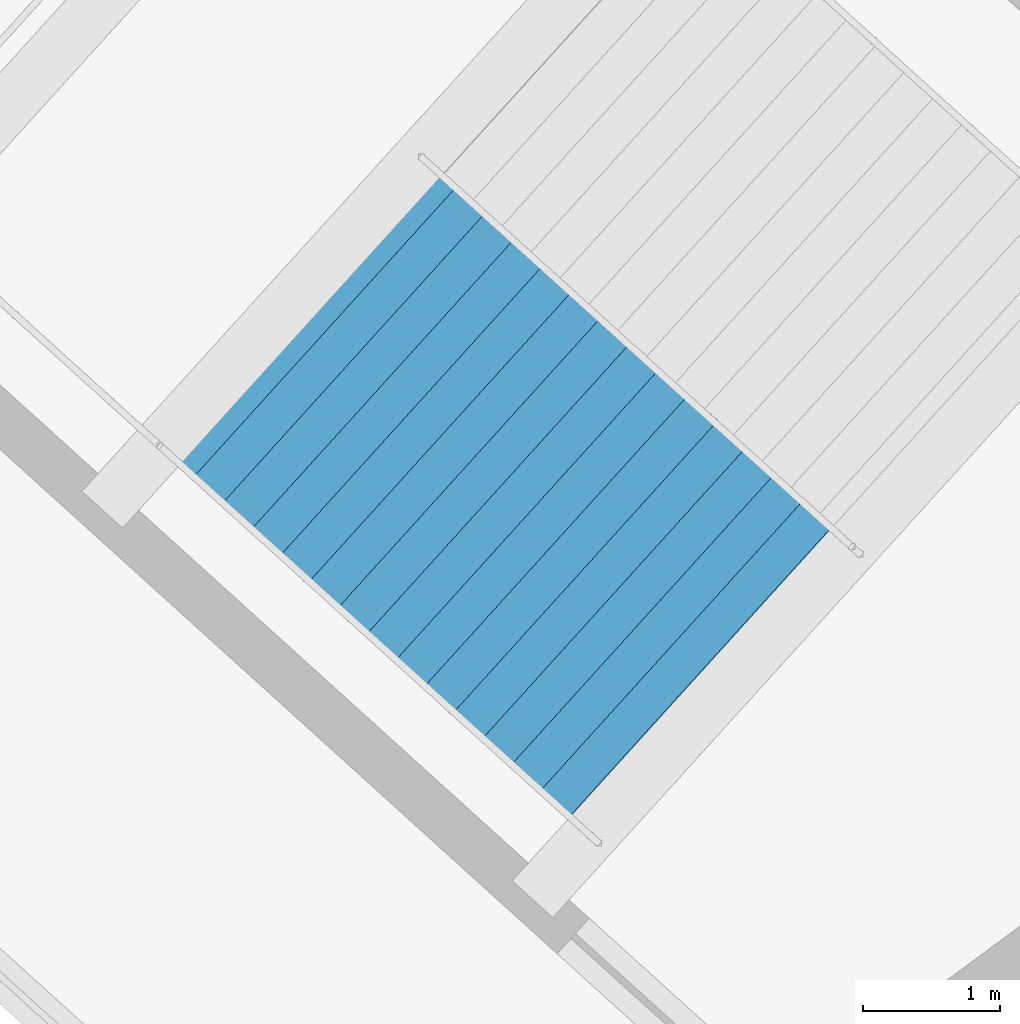
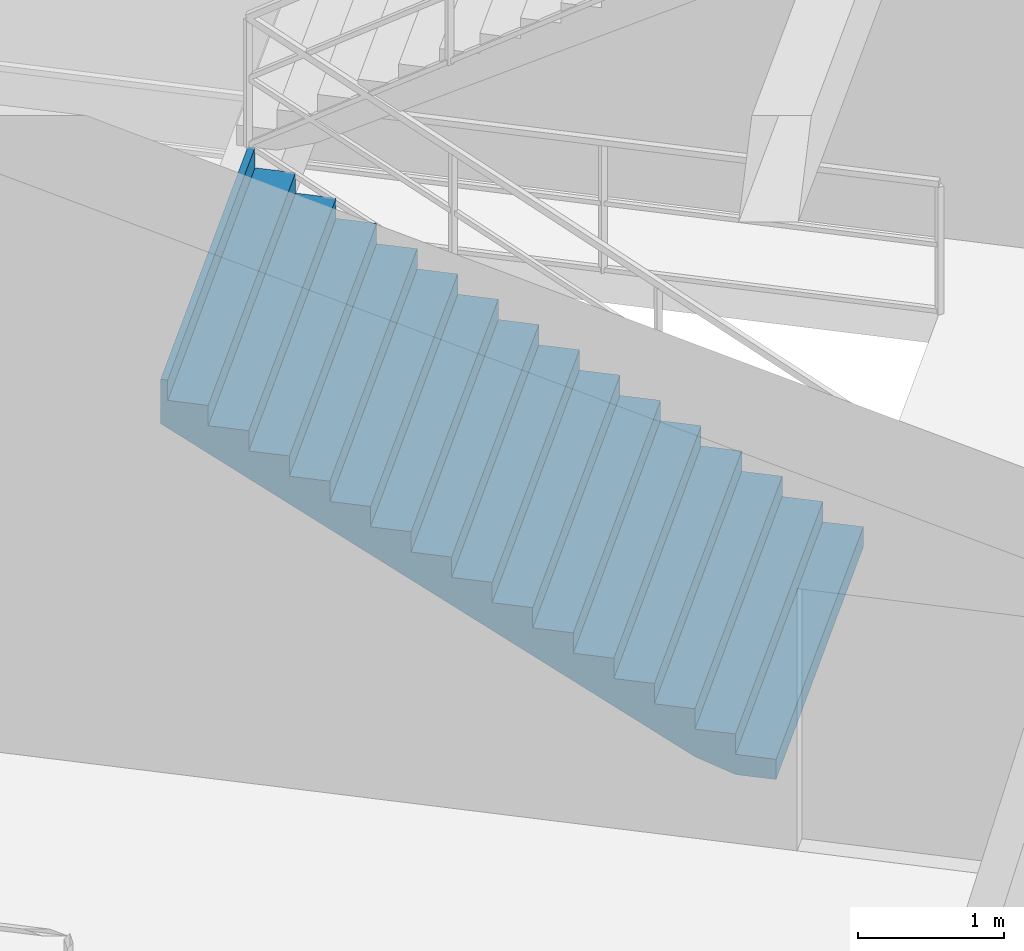
# One storey, part 95 of 103: 1 stair flight, 1 element without a shape of its own.
"""IFC4 building model written with IfcOpenShell, lengths in metres."""

from ifc_helpers import new_model, si_unit, direction, frame, origin, place, context, subcontext, project, spatial, polygons, material, type_object, element, aggregate, save


model = new_model("IFC4")

# Units and contexts
model_context = context("Model", 3, precision=1e-05, world=origin(), true_north=direction((0.0, 1.0)))
body_context = subcontext(model_context, "Body", "Model", "MODEL_VIEW")
ifc_project = project(units=[si_unit("LENGTHUNIT", "METRE"), si_unit("AREAUNIT", "SQUARE_METRE"), si_unit("VOLUMEUNIT", "CUBIC_METRE"), si_unit("PLANEANGLEUNIT", "RADIAN"), si_unit("MASSUNIT", "GRAM", prefix="KILO")], contexts=[model_context])

# Site, building, storey
site_placement = place(None, origin())
site = spatial("IfcSite", under=ifc_project, at=site_placement, CompositionType="ELEMENT")
building_placement = place(site_placement, origin())
building = spatial("IfcBuilding", under=site, at=building_placement, Name="Kazemori Nagisa Stadium", CompositionType="ELEMENT")
storey_placement = place(building_placement, frame((0.0, 0.0, 25.840087890625)))
storey = spatial("IfcBuildingStorey", under=building, at=storey_placement, Name="L05", CompositionType="ELEMENT", Elevation=25.840087890625)

# Stair, stair flight
ifc_material = material(Name="Concrete C36/45 (Fc36)", Category="concrete")
stair_type = type_object("IfcStairType", Name="Stair_CORE_32", PredefinedType="TWO_STRAIGHT_RUN_STAIR", material=ifc_material)
stair_placement = place(storey_placement, origin())
stair = element("IfcStair", 1, at=stair_placement, inside=storey, type_object=stair_type, Name="Exit stair ST01 L05", PredefinedType="TWO_STRAIGHT_RUN_STAIR")
stair_flight_type = type_object("IfcStairFlightType", Name="Flight_CORE_16", PredefinedType="STRAIGHT", material=ifc_material)
stair_flight_placement = place(storey_placement, frame((191.89208984375, 156.3369140625, 0.0), z_axis=(0.0, 0.0, 1.0), x_axis=(-0.741354464355, 0.671113670089, 0.0)))
stair_flight = element("IfcStairFlight", 2, at=stair_flight_placement, type_object=stair_flight_type, Name="Exit stair ST01 L05 flight 1", NumberOfRisers=16, NumberOfTreads=15, PredefinedType="STRAIGHT", RiserHeight=0.17, TreadLength=0.285, context=body_context, shape_type="Tessellation", body=[
    polygons([(0.0, -1.425048828125, 0.0), (0.0, -1.425048828125, 0.169921875), (0.284912109375, -1.425048828125, 0.169921875), (0.284912109375, -1.425048828125, 0.340087890625), (0.570068359375, -1.425048828125, 0.340087890625), (0.570068359375, -1.425048828125, 0.510009765625), (0.85498046875, -1.425048828125, 0.510009765625), (0.85498046875, -1.425048828125, 0.679931640625), (1.139892578125, -1.425048828125, 0.679931640625), (1.139892578125, -1.425048828125, 0.85009765625), (1.425048828125, -1.425048828125, 0.85009765625), (1.425048828125, -1.425048828125, 1.02001953125), (1.7099609375, -1.425048828125, 1.02001953125), (1.7099609375, -1.425048828125, 1.18994140625), (1.9951171875, -1.425048828125, 1.18994140625), (1.9951171875, -1.425048828125, 1.360107421875), (2.280029296875, -1.425048828125, 1.360107421875), (2.280029296875, -1.425048828125, 1.530029296875), (2.56494140625, -1.425048828125, 1.530029296875), (2.56494140625, -1.425048828125, 1.699951171875), (2.85009765625, -1.425048828125, 1.699951171875), (2.85009765625, -1.425048828125, 1.8701171875), (3.135009765625, -1.425048828125, 1.8701171875), (3.135009765625, -1.425048828125, 2.0400390625), (3.419921875, -1.425048828125, 2.0400390625), (3.419921875, -1.425048828125, 2.2099609375), (3.705078125, -1.425048828125, 2.2099609375), (3.705078125, -1.425048828125, 2.3798828125), (3.989990234375, -1.425048828125, 2.3798828125), (3.989990234375, -1.425048828125, 2.550048828125), (4.27490234375, -1.425048828125, 2.550048828125), (4.27490234375, -1.425048828125, 2.719970703125), (4.324951171875, -1.425048828125, 2.719970703125), (4.324951171875, -1.425048828125, 2.346923828125), (4.27490234375, -1.425048828125, 2.317138671875), (3.989990234375, -1.425048828125, 2.147216796875), (3.705078125, -1.425048828125, 1.977294921875), (3.419921875, -1.425048828125, 1.80712890625), (3.135009765625, -1.425048828125, 1.63720703125), (2.85009765625, -1.425048828125, 1.46728515625), (2.56494140625, -1.425048828125, 1.297119140625), (2.280029296875, -1.425048828125, 1.127197265625), (1.9951171875, -1.425048828125, 0.957275390625), (1.7099609375, -1.425048828125, 0.787109375), (1.425048828125, -1.425048828125, 0.6171875), (1.139892578125, -1.425048828125, 0.447265625), (0.85498046875, -1.425048828125, 0.277099609375), (0.570068359375, -1.425048828125, 0.107177734375), (0.284912109375, -1.425048828125, 0.0), (0.0, -0.08544921875, 0.0), (0.0, -0.08544921875, 0.169921875), (0.284912109375, -0.08544921875, 0.169921875), (0.284912109375, -0.08544921875, 0.340087890625), (0.570068359375, -0.08544921875, 0.340087890625), (0.570068359375, -0.08544921875, 0.510009765625), (0.85498046875, -0.08544921875, 0.510009765625), (0.85498046875, -0.08544921875, 0.679931640625), (1.139892578125, -0.08544921875, 0.679931640625), (1.139892578125, -0.08544921875, 0.85009765625), (1.425048828125, -0.08544921875, 0.85009765625), (1.425048828125, -0.08544921875, 1.02001953125), (1.7099609375, -0.08544921875, 1.02001953125), (1.7099609375, -0.08544921875, 1.18994140625), (1.9951171875, -0.08544921875, 1.18994140625), (1.9951171875, -0.08544921875, 1.360107421875), (2.280029296875, -0.08544921875, 1.360107421875), (2.280029296875, -0.08544921875, 1.530029296875), (2.56494140625, -0.08544921875, 1.530029296875), (2.56494140625, -0.08544921875, 1.699951171875), (2.85009765625, -0.08544921875, 1.699951171875), (2.85009765625, -0.08544921875, 1.8701171875), (3.135009765625, -0.08544921875, 1.8701171875), (3.135009765625, -0.08544921875, 2.0400390625), (3.419921875, -0.08544921875, 2.0400390625), (3.419921875, -0.08544921875, 2.2099609375), (3.705078125, -0.08544921875, 2.2099609375), (3.705078125, -0.08544921875, 2.3798828125), (3.989990234375, -0.08544921875, 2.3798828125), (3.989990234375, -0.08544921875, 2.550048828125), (4.27490234375, -0.08544921875, 2.550048828125), (4.27490234375, -0.08544921875, 2.719970703125), (4.324951171875, -0.08544921875, 2.719970703125), (4.324951171875, -0.08544921875, 2.346923828125), (4.27490234375, -0.08544921875, 2.317138671875), (3.989990234375, -0.08544921875, 2.147216796875), (3.705078125, -0.08544921875, 1.977294921875), (3.419921875, -0.08544921875, 1.80712890625), (3.135009765625, -0.08544921875, 1.63720703125), (2.85009765625, -0.08544921875, 1.46728515625), (2.56494140625, -0.08544921875, 1.297119140625), (2.280029296875, -0.08544921875, 1.127197265625), (1.9951171875, -0.08544921875, 0.957275390625), (1.7099609375, -0.08544921875, 0.787109375), (1.425048828125, -0.08544921875, 0.6171875), (1.139892578125, -0.08544921875, 0.447265625), (0.85498046875, -0.08544921875, 0.277099609375), (0.570068359375, -0.08544921875, 0.107177734375), (0.284912109375, -0.08544921875, 0.0), (0.0, 0.0, 0.0), (0.0, 0.0, 0.169921875), (0.284912109375, 0.0, 0.169921875), (0.284912109375, 0.0, 0.340087890625), (0.570068359375, 0.0, 0.340087890625), (0.570068359375, 0.0, 0.510009765625), (0.85498046875, 0.0, 0.510009765625), (0.85498046875, 0.0, 0.679931640625), (1.139892578125, 0.0, 0.679931640625), (1.139892578125, 0.0, 0.85009765625), (1.425048828125, 0.0, 0.85009765625), (1.425048828125, 0.0, 1.02001953125), (1.7099609375, 0.0, 1.02001953125), (1.7099609375, 0.0, 1.18994140625), (1.9951171875, 0.0, 1.18994140625), (1.9951171875, 0.0, 1.360107421875), (2.280029296875, 0.0, 1.360107421875), (2.280029296875, 0.0, 1.530029296875), (2.56494140625, 0.0, 1.530029296875), (2.56494140625, 0.0, 1.699951171875), (2.85009765625, 0.0, 1.699951171875), (2.85009765625, 0.0, 1.8701171875), (3.135009765625, 0.0, 1.8701171875), (3.135009765625, 0.0, 2.0400390625), (3.419921875, 0.0, 2.0400390625), (3.419921875, 0.0, 2.2099609375), (3.705078125, 0.0, 2.2099609375), (3.705078125, 0.0, 2.3798828125), (3.989990234375, 0.0, 2.3798828125), (3.989990234375, 0.0, 2.550048828125), (4.27490234375, 0.0, 2.550048828125), (4.27490234375, 0.0, 2.719970703125), (4.324951171875, 0.0, 2.719970703125), (4.324951171875, 0.0, 2.346923828125), (4.27490234375, 0.0, 2.317138671875), (3.989990234375, 0.0, 2.147216796875), (3.705078125, 0.0, 1.977294921875), (3.419921875, 0.0, 1.80712890625), (3.135009765625, 0.0, 1.63720703125), (2.85009765625, 0.0, 1.46728515625), (2.56494140625, 0.0, 1.297119140625), (2.280029296875, 0.0, 1.127197265625), (1.9951171875, 0.0, 0.957275390625), (1.7099609375, 0.0, 0.787109375), (1.425048828125, 0.0, 0.6171875), (1.139892578125, 0.0, 0.447265625), (0.85498046875, 0.0, 0.277099609375), (0.570068359375, 0.0, 0.107177734375), (0.284912109375, 0.0, 0.0), (0.0, 0.08544921875, 0.0), (0.0, 0.08544921875, 0.169921875), (0.284912109375, 0.08544921875, 0.169921875), (0.284912109375, 0.08544921875, 0.340087890625), (0.570068359375, 0.08544921875, 0.340087890625), (0.570068359375, 0.08544921875, 0.510009765625), (0.85498046875, 0.08544921875, 0.510009765625), (0.85498046875, 0.08544921875, 0.679931640625), (1.139892578125, 0.08544921875, 0.679931640625), (1.139892578125, 0.08544921875, 0.85009765625), (1.425048828125, 0.08544921875, 0.85009765625), (1.425048828125, 0.08544921875, 1.02001953125), (1.7099609375, 0.08544921875, 1.02001953125), (1.7099609375, 0.08544921875, 1.18994140625), (1.9951171875, 0.08544921875, 1.18994140625), (1.9951171875, 0.08544921875, 1.360107421875), (2.280029296875, 0.08544921875, 1.360107421875), (2.280029296875, 0.08544921875, 1.530029296875), (2.56494140625, 0.08544921875, 1.530029296875), (2.56494140625, 0.08544921875, 1.699951171875), (2.85009765625, 0.08544921875, 1.699951171875), (2.85009765625, 0.08544921875, 1.8701171875), (3.135009765625, 0.08544921875, 1.8701171875), (3.135009765625, 0.08544921875, 2.0400390625), (3.419921875, 0.08544921875, 2.0400390625), (3.419921875, 0.08544921875, 2.2099609375), (3.705078125, 0.08544921875, 2.2099609375), (3.705078125, 0.08544921875, 2.3798828125), (3.989990234375, 0.08544921875, 2.3798828125), (3.989990234375, 0.08544921875, 2.550048828125), (4.27490234375, 0.08544921875, 2.550048828125), (4.27490234375, 0.08544921875, 2.719970703125), (4.324951171875, 0.08544921875, 2.719970703125), (4.324951171875, 0.08544921875, 2.346923828125), (4.27490234375, 0.08544921875, 2.317138671875), (3.989990234375, 0.08544921875, 2.147216796875), (3.705078125, 0.08544921875, 1.977294921875), (3.419921875, 0.08544921875, 1.80712890625), (3.135009765625, 0.08544921875, 1.63720703125), (2.85009765625, 0.08544921875, 1.46728515625), (2.56494140625, 0.08544921875, 1.297119140625), (2.280029296875, 0.08544921875, 1.127197265625), (1.9951171875, 0.08544921875, 0.957275390625), (1.7099609375, 0.08544921875, 0.787109375), (1.425048828125, 0.08544921875, 0.6171875), (1.139892578125, 0.08544921875, 0.447265625), (0.85498046875, 0.08544921875, 0.277099609375), (0.570068359375, 0.08544921875, 0.107177734375), (0.284912109375, 0.08544921875, 0.0), (0.0, 1.425048828125, 0.0), (0.0, 1.425048828125, 0.169921875), (0.284912109375, 1.425048828125, 0.169921875), (0.284912109375, 1.425048828125, 0.340087890625), (0.570068359375, 1.425048828125, 0.340087890625), (0.570068359375, 1.425048828125, 0.510009765625), (0.85498046875, 1.425048828125, 0.510009765625), (0.85498046875, 1.425048828125, 0.679931640625), (1.139892578125, 1.425048828125, 0.679931640625), (1.139892578125, 1.425048828125, 0.85009765625), (1.425048828125, 1.425048828125, 0.85009765625), (1.425048828125, 1.425048828125, 1.02001953125), (1.7099609375, 1.425048828125, 1.02001953125), (1.7099609375, 1.425048828125, 1.18994140625), (1.9951171875, 1.425048828125, 1.18994140625), (1.9951171875, 1.425048828125, 1.360107421875), (2.280029296875, 1.425048828125, 1.360107421875), (2.280029296875, 1.425048828125, 1.530029296875), (2.56494140625, 1.425048828125, 1.530029296875), (2.56494140625, 1.425048828125, 1.699951171875), (2.85009765625, 1.425048828125, 1.699951171875), (2.85009765625, 1.425048828125, 1.8701171875), (3.135009765625, 1.425048828125, 1.8701171875), (3.135009765625, 1.425048828125, 2.0400390625), (3.419921875, 1.425048828125, 2.0400390625), (3.419921875, 1.425048828125, 2.2099609375), (3.705078125, 1.425048828125, 2.2099609375), (3.705078125, 1.425048828125, 2.3798828125), (3.989990234375, 1.425048828125, 2.3798828125), (3.989990234375, 1.425048828125, 2.550048828125), (4.27490234375, 1.425048828125, 2.550048828125), (4.27490234375, 1.425048828125, 2.719970703125), (4.324951171875, 1.425048828125, 2.719970703125), (4.324951171875, 1.425048828125, 2.346923828125), (4.27490234375, 1.425048828125, 2.317138671875), (3.989990234375, 1.425048828125, 2.147216796875), (3.705078125, 1.425048828125, 1.977294921875), (3.419921875, 1.425048828125, 1.80712890625), (3.135009765625, 1.425048828125, 1.63720703125), (2.85009765625, 1.425048828125, 1.46728515625), (2.56494140625, 1.425048828125, 1.297119140625), (2.280029296875, 1.425048828125, 1.127197265625), (1.9951171875, 1.425048828125, 0.957275390625), (1.7099609375, 1.425048828125, 0.787109375), (1.425048828125, 1.425048828125, 0.6171875), (1.139892578125, 1.425048828125, 0.447265625), (0.85498046875, 1.425048828125, 0.277099609375), (0.570068359375, 1.425048828125, 0.107177734375), (0.284912109375, 1.425048828125, 0.0)], [[[1, 2, 51]], [[1, 51, 50]], [[2, 3, 52]], [[2, 52, 51]], [[3, 4, 53]], [[3, 53, 52]], [[4, 5, 54]], [[4, 54, 53]], [[5, 6, 55]], [[5, 55, 54]], [[6, 7, 56]], [[6, 56, 55]], [[7, 8, 57]], [[7, 57, 56]], [[8, 9, 58]], [[8, 58, 57]], [[9, 10, 59]], [[9, 59, 58]], [[10, 11, 60]], [[10, 60, 59]], [[11, 12, 61]], [[11, 61, 60]], [[12, 13, 62]], [[12, 62, 61]], [[13, 14, 63]], [[13, 63, 62]], [[14, 15, 64]], [[14, 64, 63]], [[15, 16, 65]], [[15, 65, 64]], [[16, 17, 66]], [[16, 66, 65]], [[17, 18, 67]], [[17, 67, 66]], [[18, 19, 68]], [[18, 68, 67]], [[19, 20, 69]], [[19, 69, 68]], [[20, 21, 70]], [[20, 70, 69]], [[21, 22, 71]], [[21, 71, 70]], [[22, 23, 72]], [[22, 72, 71]], [[23, 24, 73]], [[23, 73, 72]], [[24, 25, 74]], [[24, 74, 73]], [[25, 26, 75]], [[25, 75, 74]], [[26, 27, 76]], [[26, 76, 75]], [[27, 28, 77]], [[27, 77, 76]], [[28, 29, 78]], [[28, 78, 77]], [[29, 30, 79]], [[29, 79, 78]], [[30, 31, 80]], [[30, 80, 79]], [[31, 32, 81]], [[31, 81, 80]], [[32, 33, 82]], [[32, 82, 81]], [[33, 34, 83]], [[33, 83, 82]], [[34, 35, 84]], [[34, 84, 83]], [[35, 36, 85]], [[35, 85, 84]], [[36, 37, 86]], [[36, 86, 85]], [[37, 38, 87]], [[37, 87, 86]], [[38, 39, 88]], [[38, 88, 87]], [[39, 40, 89]], [[39, 89, 88]], [[40, 41, 90]], [[40, 90, 89]], [[41, 42, 91]], [[41, 91, 90]], [[42, 43, 92]], [[42, 92, 91]], [[43, 44, 93]], [[43, 93, 92]], [[44, 45, 94]], [[44, 94, 93]], [[45, 46, 95]], [[45, 95, 94]], [[46, 47, 96]], [[46, 96, 95]], [[47, 48, 97]], [[47, 97, 96]], [[48, 49, 98]], [[48, 98, 97]], [[49, 1, 50]], [[49, 50, 98]], [[50, 51, 100]], [[50, 100, 99]], [[51, 52, 101]], [[51, 101, 100]], [[52, 53, 102]], [[52, 102, 101]], [[53, 54, 103]], [[53, 103, 102]], [[54, 55, 104]], [[54, 104, 103]], [[55, 56, 105]], [[55, 105, 104]], [[56, 57, 106]], [[56, 106, 105]], [[57, 58, 107]], [[57, 107, 106]], [[58, 59, 108]], [[58, 108, 107]], [[59, 60, 109]], [[59, 109, 108]], [[60, 61, 110]], [[60, 110, 109]], [[61, 62, 111]], [[61, 111, 110]], [[62, 63, 112]], [[62, 112, 111]], [[63, 64, 113]], [[63, 113, 112]], [[64, 65, 114]], [[64, 114, 113]], [[65, 66, 115]], [[65, 115, 114]], [[66, 67, 116]], [[66, 116, 115]], [[67, 68, 117]], [[67, 117, 116]], [[68, 69, 118]], [[68, 118, 117]], [[69, 70, 119]], [[69, 119, 118]], [[70, 71, 120]], [[70, 120, 119]], [[71, 72, 121]], [[71, 121, 120]], [[72, 73, 122]], [[72, 122, 121]], [[73, 74, 123]], [[73, 123, 122]], [[74, 75, 124]], [[74, 124, 123]], [[75, 76, 125]], [[75, 125, 124]], [[76, 77, 126]], [[76, 126, 125]], [[77, 78, 127]], [[77, 127, 126]], [[78, 79, 128]], [[78, 128, 127]], [[79, 80, 129]], [[79, 129, 128]], [[80, 81, 130]], [[80, 130, 129]], [[81, 82, 131]], [[81, 131, 130]], [[82, 83, 132]], [[82, 132, 131]], [[83, 84, 133]], [[83, 133, 132]], [[84, 85, 134]], [[84, 134, 133]], [[85, 86, 135]], [[85, 135, 134]], [[86, 87, 136]], [[86, 136, 135]], [[87, 88, 137]], [[87, 137, 136]], [[88, 89, 138]], [[88, 138, 137]], [[89, 90, 139]], [[89, 139, 138]], [[90, 91, 140]], [[90, 140, 139]], [[91, 92, 141]], [[91, 141, 140]], [[92, 93, 142]], [[92, 142, 141]], [[93, 94, 143]], [[93, 143, 142]], [[94, 95, 144]], [[94, 144, 143]], [[95, 96, 145]], [[95, 145, 144]], [[96, 97, 146]], [[96, 146, 145]], [[97, 98, 147]], [[97, 147, 146]], [[98, 50, 99]], [[98, 99, 147]], [[99, 100, 149]], [[99, 149, 148]], [[100, 101, 150]], [[100, 150, 149]], [[101, 102, 151]], [[101, 151, 150]], [[102, 103, 152]], [[102, 152, 151]], [[103, 104, 153]], [[103, 153, 152]], [[104, 105, 154]], [[104, 154, 153]], [[105, 106, 155]], [[105, 155, 154]], [[106, 107, 156]], [[106, 156, 155]], [[107, 108, 157]], [[107, 157, 156]], [[108, 109, 158]], [[108, 158, 157]], [[109, 110, 159]], [[109, 159, 158]], [[110, 111, 160]], [[110, 160, 159]], [[111, 112, 161]], [[111, 161, 160]], [[112, 113, 162]], [[112, 162, 161]], [[113, 114, 163]], [[113, 163, 162]], [[114, 115, 164]], [[114, 164, 163]], [[115, 116, 165]], [[115, 165, 164]], [[116, 117, 166]], [[116, 166, 165]], [[117, 118, 167]], [[117, 167, 166]], [[118, 119, 168]], [[118, 168, 167]], [[119, 120, 169]], [[119, 169, 168]], [[120, 121, 170]], [[120, 170, 169]], [[121, 122, 171]], [[121, 171, 170]], [[122, 123, 172]], [[122, 172, 171]], [[123, 124, 173]], [[123, 173, 172]], [[124, 125, 174]], [[124, 174, 173]], [[125, 126, 175]], [[125, 175, 174]], [[126, 127, 176]], [[126, 176, 175]], [[127, 128, 177]], [[127, 177, 176]], [[128, 129, 178]], [[128, 178, 177]], [[129, 130, 179]], [[129, 179, 178]], [[130, 131, 180]], [[130, 180, 179]], [[131, 132, 181]], [[131, 181, 180]], [[132, 133, 182]], [[132, 182, 181]], [[133, 134, 183]], [[133, 183, 182]], [[134, 135, 184]], [[134, 184, 183]], [[135, 136, 185]], [[135, 185, 184]], [[136, 137, 186]], [[136, 186, 185]], [[137, 138, 187]], [[137, 187, 186]], [[138, 139, 188]], [[138, 188, 187]], [[139, 140, 189]], [[139, 189, 188]], [[140, 141, 190]], [[140, 190, 189]], [[141, 142, 191]], [[141, 191, 190]], [[142, 143, 192]], [[142, 192, 191]], [[143, 144, 193]], [[143, 193, 192]], [[144, 145, 194]], [[144, 194, 193]], [[145, 146, 195]], [[145, 195, 194]], [[146, 147, 196]], [[146, 196, 195]], [[147, 99, 148]], [[147, 148, 196]], [[148, 149, 198]], [[148, 198, 197]], [[149, 150, 199]], [[149, 199, 198]], [[150, 151, 200]], [[150, 200, 199]], [[151, 152, 201]], [[151, 201, 200]], [[152, 153, 202]], [[152, 202, 201]], [[153, 154, 203]], [[153, 203, 202]], [[154, 155, 204]], [[154, 204, 203]], [[155, 156, 205]], [[155, 205, 204]], [[156, 157, 206]], [[156, 206, 205]], [[157, 158, 207]], [[157, 207, 206]], [[158, 159, 208]], [[158, 208, 207]], [[159, 160, 209]], [[159, 209, 208]], [[160, 161, 210]], [[160, 210, 209]], [[161, 162, 211]], [[161, 211, 210]], [[162, 163, 212]], [[162, 212, 211]], [[163, 164, 213]], [[163, 213, 212]], [[164, 165, 214]], [[164, 214, 213]], [[165, 166, 215]], [[165, 215, 214]], [[166, 167, 216]], [[166, 216, 215]], [[167, 168, 217]], [[167, 217, 216]], [[168, 169, 218]], [[168, 218, 217]], [[169, 170, 219]], [[169, 219, 218]], [[170, 171, 220]], [[170, 220, 219]], [[171, 172, 221]], [[171, 221, 220]], [[172, 173, 222]], [[172, 222, 221]], [[173, 174, 223]], [[173, 223, 222]], [[174, 175, 224]], [[174, 224, 223]], [[175, 176, 225]], [[175, 225, 224]], [[176, 177, 226]], [[176, 226, 225]], [[177, 178, 227]], [[177, 227, 226]], [[178, 179, 228]], [[178, 228, 227]], [[179, 180, 229]], [[179, 229, 228]], [[180, 181, 230]], [[180, 230, 229]], [[181, 182, 231]], [[181, 231, 230]], [[182, 183, 232]], [[182, 232, 231]], [[183, 184, 233]], [[183, 233, 232]], [[184, 185, 234]], [[184, 234, 233]], [[185, 186, 235]], [[185, 235, 234]], [[186, 187, 236]], [[186, 236, 235]], [[187, 188, 237]], [[187, 237, 236]], [[188, 189, 238]], [[188, 238, 237]], [[189, 190, 239]], [[189, 239, 238]], [[190, 191, 240]], [[190, 240, 239]], [[191, 192, 241]], [[191, 241, 240]], [[192, 193, 242]], [[192, 242, 241]], [[193, 194, 243]], [[193, 243, 242]], [[194, 195, 244]], [[194, 244, 243]], [[195, 196, 245]], [[195, 245, 244]], [[196, 148, 197]], [[196, 197, 245]], [[3, 2, 1]], [[197, 198, 199]], [[49, 3, 1]], [[197, 199, 245]], [[48, 3, 49]], [[245, 199, 244]], [[5, 3, 48]], [[244, 199, 201]], [[5, 4, 3]], [[199, 200, 201]], [[47, 5, 48]], [[244, 201, 243]], [[7, 5, 47]], [[243, 201, 203]], [[7, 6, 5]], [[201, 202, 203]], [[46, 7, 47]], [[243, 203, 242]], [[9, 7, 46]], [[242, 203, 205]], [[9, 8, 7]], [[203, 204, 205]], [[45, 9, 46]], [[242, 205, 241]], [[11, 9, 45]], [[241, 205, 207]], [[11, 10, 9]], [[205, 206, 207]], [[44, 11, 45]], [[241, 207, 240]], [[13, 11, 44]], [[240, 207, 209]], [[13, 12, 11]], [[207, 208, 209]], [[43, 13, 44]], [[240, 209, 239]], [[15, 13, 43]], [[239, 209, 211]], [[15, 14, 13]], [[209, 210, 211]], [[42, 15, 43]], [[239, 211, 238]], [[17, 15, 42]], [[238, 211, 213]], [[17, 16, 15]], [[211, 212, 213]], [[41, 17, 42]], [[238, 213, 237]], [[19, 17, 41]], [[237, 213, 215]], [[19, 18, 17]], [[213, 214, 215]], [[40, 19, 41]], [[237, 215, 236]], [[21, 19, 40]], [[236, 215, 217]], [[21, 20, 19]], [[215, 216, 217]], [[39, 21, 40]], [[236, 217, 235]], [[23, 21, 39]], [[235, 217, 219]], [[23, 22, 21]], [[217, 218, 219]], [[38, 23, 39]], [[235, 219, 234]], [[25, 23, 38]], [[234, 219, 221]], [[25, 24, 23]], [[219, 220, 221]], [[37, 25, 38]], [[234, 221, 233]], [[27, 25, 37]], [[233, 221, 223]], [[27, 26, 25]], [[221, 222, 223]], [[36, 27, 37]], [[233, 223, 232]], [[29, 27, 36]], [[232, 223, 225]], [[29, 28, 27]], [[223, 224, 225]], [[35, 29, 36]], [[232, 225, 231]], [[31, 29, 35]], [[231, 225, 227]], [[31, 30, 29]], [[225, 226, 227]], [[34, 31, 35]], [[231, 227, 230]], [[33, 31, 34]], [[230, 227, 229]], [[33, 32, 31]], [[227, 228, 229]]], closed=True),
])
aggregate(stair, [stair_flight])

save(model, "model.ifc")
